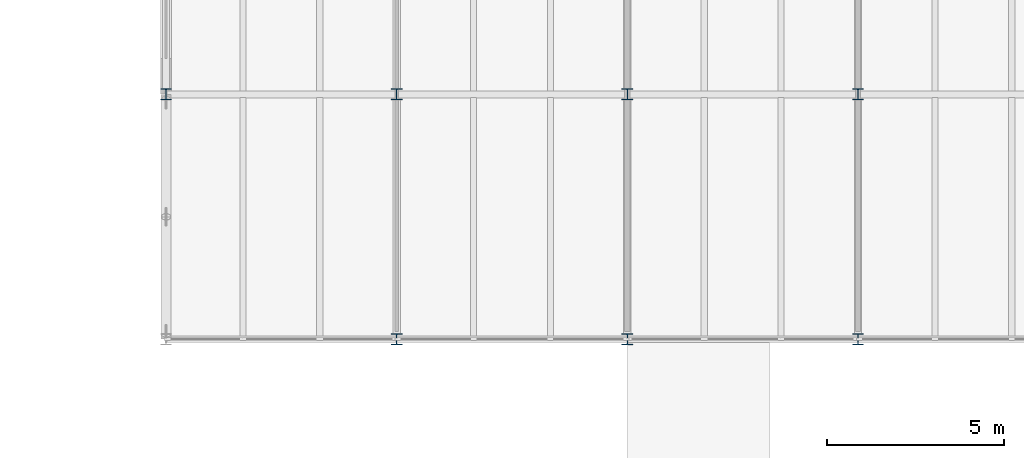
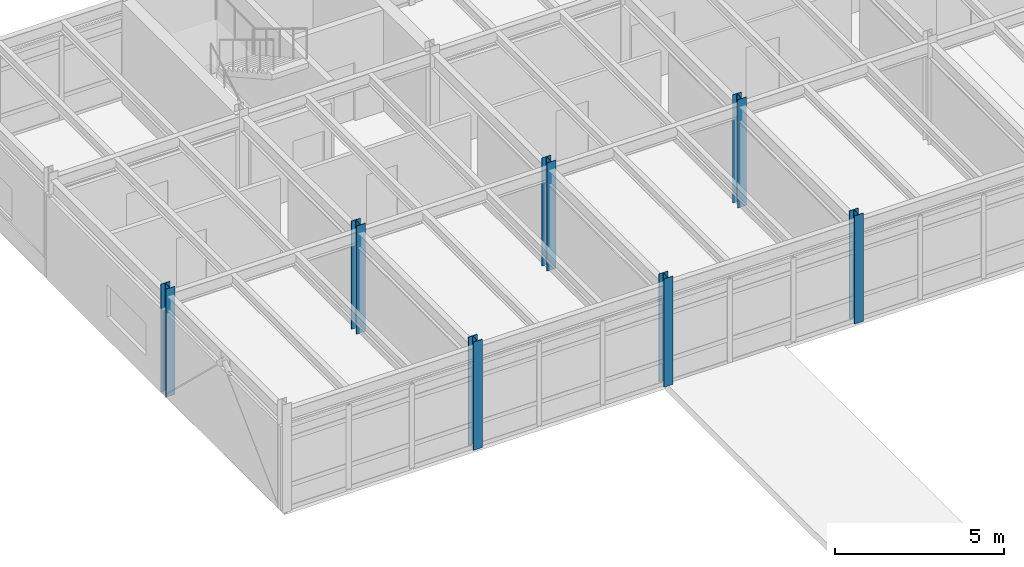
# One storey, part 6 of 49: 7 columns.
"""IFC4 building model written with IfcOpenShell, lengths in metres."""

from ifc_helpers import new_model, si_unit, direction, frame, origin, origin_2d, place, context, subcontext, project, spatial, i_section, extrude, material, material_profile, profile_set, type_object, element, save


model = new_model("IFC4")

# Units and contexts
model_context = context("Model", 3, precision=1e-05, world=origin(), true_north=direction((0.0, 1.0)))
body_context = subcontext(model_context, "Body", "Model", "MODEL_VIEW")
ifc_project = project(units=[si_unit("LENGTHUNIT", "METRE"), si_unit("AREAUNIT", "SQUARE_METRE"), si_unit("VOLUMEUNIT", "CUBIC_METRE"), si_unit("PLANEANGLEUNIT", "RADIAN"), si_unit("MASSUNIT", "GRAM", prefix="KILO")], contexts=[model_context])

# Site, building, storey
site_placement = place(None, origin())
site = spatial("IfcSite", under=ifc_project, at=site_placement, CompositionType="ELEMENT")
building_placement = place(site_placement, origin())
building = spatial("IfcBuilding", under=site, at=building_placement, Name="Trelmorton Wharf Fire Station", CompositionType="ELEMENT")
storey_placement = place(building_placement, frame((0.0, 0.0, 9.60009765625)))
storey = spatial("IfcBuildingStorey", under=building, at=storey_placement, Name="L02", CompositionType="ELEMENT", Elevation=9.60009765625)

# Columns
ifc_material = material(Name="Steel Grade 350", Category="steel")
ifc_material_profile = material_profile(ifc_material, i_section(OverallWidth=0.306884765625, OverallDepth=0.31494140625, WebThickness=0.011962890625, FlangeThickness=0.018798828125, FilletRadius=0.0166015625, at=origin_2d()), Name="310UC118")
ifc_profile_set = profile_set([ifc_material_profile], Name="Steel Grade 350")
column_type = type_object("IfcColumnType", Name="COL_310UC118", PredefinedType="COLUMN", material=ifc_profile_set)
for number, where, z_axis, x_axis, name in (
    (1, (104.0, 67.199951171875, 0.0), (0.0, 0.0, 1.0), (1.0, 0.0, 0.0), "COL-L02-0509"),
    (2, (110.5, 60.300048828125, 0.0), (0.0, 0.0, 1.0), (1.0, 0.0, 0.0), "COL-L02-0516"),
    (3, (110.5, 67.199951171875, 0.0), (0.0, 0.0, 1.0), (1.0, 0.0, 0.0), "COL-L02-0517"),
    (4, (117.0, 60.300048828125, 0.0), (0.0, 0.0, 1.0), (1.0, 0.0, 0.0), "COL-L02-0524"),
    (5, (117.0, 67.199951171875, 0.0), (0.0, 0.0, 1.0), (1.0, 0.0, 0.0), "COL-L02-0525"),
    (6, (123.5, 60.300048828125, 0.0), (0.0, 0.0, 1.0), (1.0, 0.0, 0.0), "COL-L02-0532"),
    (7, (123.5, 67.199951171875, 0.0), (0.0, 0.0, 1.0), (1.0, 0.0, 0.0), "COL-L02-0533"),
):
    element("IfcColumn", number, at=place(storey_placement, frame(where, z_axis=z_axis, x_axis=x_axis)), inside=storey, type_object=column_type, Name=name, PredefinedType="COLUMN", context=body_context, shape_type="SweptSolid", body=[
        extrude(i_section(OverallWidth=0.306884765625, OverallDepth=0.31494140625, WebThickness=0.011962890625, FlangeThickness=0.018798828125, FilletRadius=0.0166015625, at=origin_2d()), origin(), (0.0, 0.0, 1.0), 3.89990234375),
    ])

save(model, "model.ifc")
